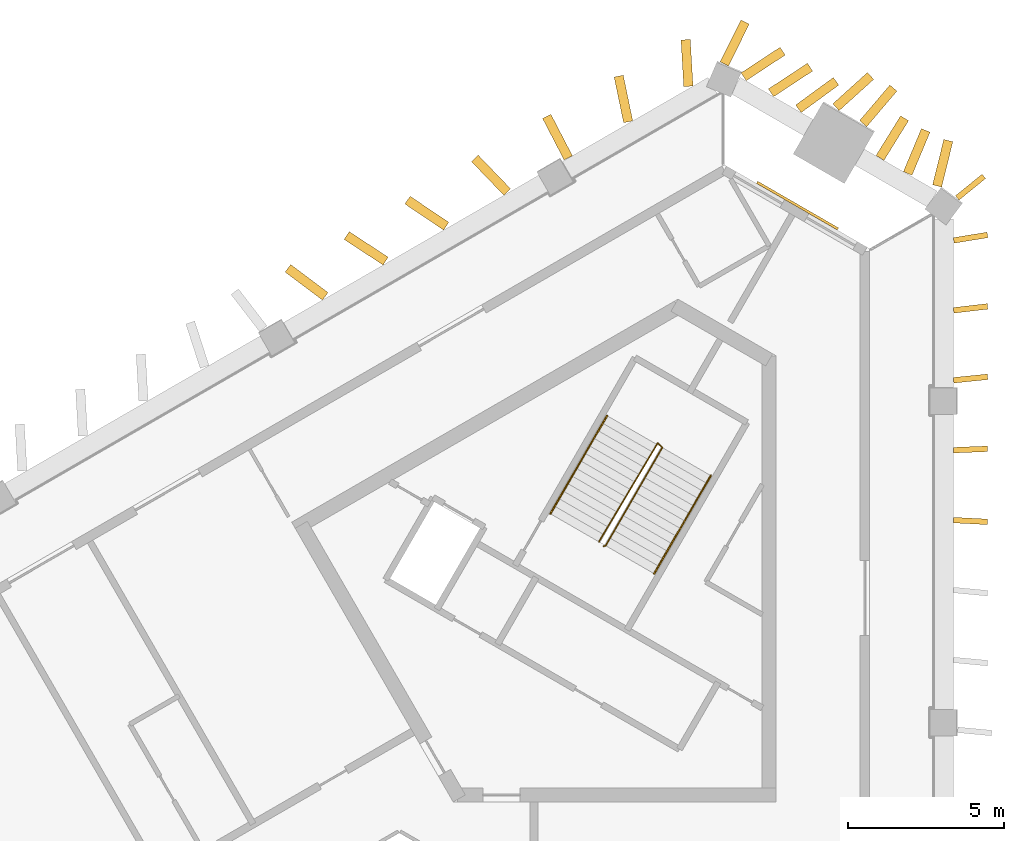
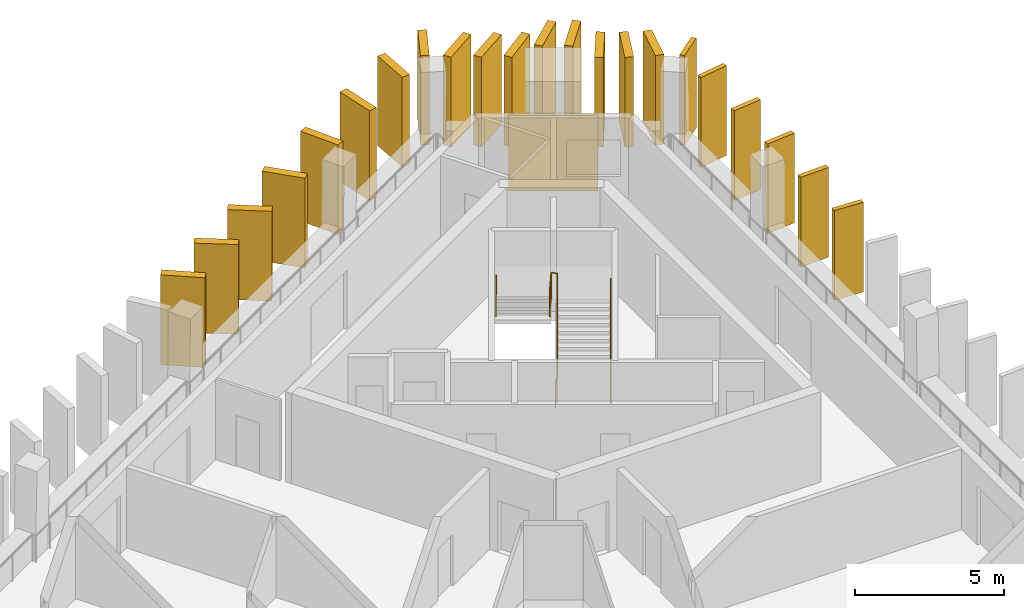
# One storey, part 10 of 10: 22 shading devices, 3 railings, 1 covering.
"""IFC4 building model written with IfcOpenShell, lengths in metres."""

from ifc_helpers import new_model, si_unit, direction, frame, frame_2d, origin, origin_2d, place, context, subcontext, project, spatial, rectangle, circle, extrude, material, layer, layer_set, type_object, element, save


model = new_model("IFC4")

# Units and contexts
model_context = context("Model", 3, precision=1e-05, world=origin(), true_north=direction((0.0, 1.0)))
body_context = subcontext(model_context, "Body", "Model", "MODEL_VIEW")
ifc_project = project(units=[si_unit("LENGTHUNIT", "METRE"), si_unit("AREAUNIT", "SQUARE_METRE"), si_unit("VOLUMEUNIT", "CUBIC_METRE"), si_unit("PLANEANGLEUNIT", "RADIAN"), si_unit("MASSUNIT", "GRAM", prefix="KILO")], contexts=[model_context])

# Site, building, storey
site_placement = place(None, origin())
site = spatial("IfcSite", under=ifc_project, at=site_placement, CompositionType="ELEMENT")
building_placement = place(site_placement, origin())
building = spatial("IfcBuilding", under=site, at=building_placement, Name="Jabali Bay Hotel Tower and Convention Centre", CompositionType="ELEMENT")
storey_placement = place(building_placement, frame((0.0, 0.0, 216.89990234375)))
storey = spatial("IfcBuildingStorey", under=building, at=storey_placement, Name="L53", CompositionType="ELEMENT", Elevation=216.89990234375)

# Shading devices
ifc_material_1 = material(Name="Precast concrete C60", Category="concrete")
ifc_layer_1 = layer(ifc_material_1, 0.179931640625)
ifc_layer_set_1 = layer_set([ifc_layer_1], Name="Precast concrete C60")
shading_device_type_1 = type_object("IfcShadingDeviceType", Name="Precast fin 3680 x 1100", PredefinedType="USERDEFINED", material=ifc_layer_set_1)
for number, where, z_axis, x_axis, name in (
    (1, (95.57373046875, 96.850341796875, 0.010009765625), (0.0, 0.0, 1.0), (0.998696380733, -0.051044481682, 0.0), "Fin L53 019"),
    (2, (95.57275390625, 99.09716796875, 0.010009765625), (0.0, 0.0, 1.0), (0.999201667658, 0.039950311013, 0.0), "Fin L53 020"),
    (3, (95.578125, 101.343994140625, 0.010009765625), (0.0, 0.0, 1.0), (0.994911154458, 0.100756115129, 0.0), "Fin L53 021"),
):
    element("IfcShadingDevice", number, at=place(storey_placement, frame(where, z_axis=z_axis, x_axis=x_axis)), inside=storey, type_object=shading_device_type_1, Name=name, ObjectType="FIN", PredefinedType="USERDEFINED", context=body_context, shape_type="SweptSolid", body=[
        extrude(rectangle(XDim=1.10009765625, YDim=0.179931640625, at=frame_2d((0.550048828125, 0.0))), origin(), (0.0, 0.0, 1.0), 3.68017578125),
    ])
for number, where, z_axis, x_axis, name in (
    (4, (95.57958984375, 103.590576171875, 0.010009765625), (0.0, 0.0, 1.0), (0.993265267874, 0.115862451359, 0.0), "Fin L53 022"),
    (5, (95.583740234375, 105.83740234375, 0.010009765625), (0.0, 0.0, 1.0), (0.98685785517, 0.161590759911, 0.0), "Fin L53 023"),
    (6, (95.697021484375, 107.203369140625, 0.010009765625), (0.0, 0.0, 1.0), (0.776453372186, 0.630174706586, 0.0), "Fin L53 097"),
):
    element("IfcShadingDevice", number, at=place(storey_placement, frame(where, z_axis=z_axis, x_axis=x_axis)), inside=storey, type_object=shading_device_type_1, Name=name, ObjectType="FIN", PredefinedType="USERDEFINED", context=body_context, shape_type="SweptSolid", body=[
        extrude(rectangle(XDim=1.099853515625, YDim=0.179931640625, at=frame_2d((0.5498046875, 0.0))), origin(), (0.0, 0.0, 1.0), 3.68017578125),
    ])
ifc_layer_2 = layer(ifc_material_1, 0.300048828125)
ifc_layer_set_2 = layer_set([ifc_layer_2], Name="Precast concrete C60")
shading_device_type_2 = type_object("IfcShadingDeviceType", Name="Precast fin 3680 x 1500", PredefinedType="USERDEFINED", material=ifc_layer_set_2)
for number, where, z_axis, x_axis, name in (
    (7, (95.05126953125, 107.59033203125, 0.010009765625), (0.0, 0.0, 1.0), (0.239087511985, 0.970998023486, 0.0), "Fin L53 024"),
    (8, (94.104736328125, 107.990478515625, 0.010009765625), (0.0, 0.0, 1.0), (0.386047909801, 0.922478732188, 0.0), "Fin L53 025"),
    (9, (93.214111328125, 108.488037109375, 0.010009765625), (0.0, 0.0, 1.0), (0.526864422332, 0.84994933995, 0.0), "Fin L53 026"),
    (10, (92.67333984375, 109.59130859375, 0.010009765625), (0.0, 0.0, 1.0), (0.647931840097, 0.761698319933, 0.0), "Fin L53 027"),
    (11, (91.799560546875, 110.11767578125, 0.010009765625), (0.0, 0.0, 1.0), (0.741851877921, 0.670563786098, 0.0), "Fin L53 028"),
):
    element("IfcShadingDevice", number, at=place(storey_placement, frame(where, z_axis=z_axis, x_axis=x_axis)), inside=storey, type_object=shading_device_type_2, Name=name, ObjectType="FIN", PredefinedType="USERDEFINED", context=body_context, shape_type="SweptSolid", body=[
        extrude(rectangle(XDim=1.5, YDim=0.300048828125, at=frame_2d((0.75, 0.0))), origin(), (0.0, 0.0, 1.0), 3.68017578125),
    ])
for number, where, z_axis, x_axis, name in (
    (12, (90.59228515625, 110.06640625, 0.010009765625), (0.0, 0.0, 1.0), (0.807092761323, 0.590424656176, 0.0), "Fin L53 029"),
    (13, (89.71240234375, 110.582275390625, 0.010009765625), (0.0, 0.0, 1.0), (0.836010576287, 0.548713328011, 0.0), "Fin L53 030"),
):
    element("IfcShadingDevice", number, at=place(storey_placement, frame(where, z_axis=z_axis, x_axis=x_axis)), inside=storey, type_object=shading_device_type_2, Name=name, ObjectType="FIN", PredefinedType="USERDEFINED", context=body_context, shape_type="SweptSolid", body=[
        extrude(rectangle(XDim=1.499755859375, YDim=0.300048828125, at=frame_2d((0.75, 0.0))), origin(), (0.0, 0.0, 1.0), 3.68017578125),
    ])
shading_device_1_placement = place(storey_placement, frame((88.83203125, 111.097412109375, 0.010009765625), z_axis=(0.0, 0.0, 1.0), x_axis=(0.835984920737, 0.548752414391, 0.0)))
element("IfcShadingDevice", 14, at=shading_device_1_placement, inside=storey, type_object=shading_device_type_2, Name="Fin L53 031", ObjectType="FIN", PredefinedType="USERDEFINED", context=body_context, shape_type="SweptSolid", body=[
    extrude(rectangle(XDim=1.500244140625, YDim=0.300048828125, at=frame_2d((0.75, 0.0))), origin(), (0.0, 0.0, 1.0), 3.68017578125),
])
for number, where, z_axis, x_axis, name in (
    (15, (87.0576171875, 110.790283203125, 0.010009765625), (0.0, 0.0, 1.0), (-0.05908459668, 0.998252979177, 0.0), "Fin L53 032"),
    (16, (85.1220703125, 109.6494140625, 0.010009765625), (0.0, 0.0, 1.0), (-0.202966194235, 0.979185745402, 0.0), "Fin L53 033"),
):
    element("IfcShadingDevice", number, at=place(storey_placement, frame(where, z_axis=z_axis, x_axis=x_axis)), inside=storey, type_object=shading_device_type_2, Name=name, ObjectType="FIN", PredefinedType="USERDEFINED", context=body_context, shape_type="SweptSolid", body=[
        extrude(rectangle(XDim=1.5, YDim=0.300048828125, at=frame_2d((0.75, 0.0))), origin(), (0.0, 0.0, 1.0), 3.68017578125),
    ])
shading_device_2_placement = place(storey_placement, frame((83.1962890625, 108.4912109375, 0.010009765625), z_axis=(0.0, 0.0, 1.0), x_axis=(-0.460188868676, 0.887821043424, 0.0)))
element("IfcShadingDevice", 17, at=shading_device_2_placement, inside=storey, type_object=shading_device_type_2, Name="Fin L53 034", ObjectType="FIN", PredefinedType="USERDEFINED", context=body_context, shape_type="SweptSolid", body=[
    extrude(rectangle(XDim=1.499755859375, YDim=0.300048828125, at=frame_2d((0.75, 0.0))), origin(), (0.0, 0.0, 1.0), 3.68017578125),
])
for number, where, z_axis, x_axis, name in (
    (18, (81.236083984375, 107.39306640625, 0.010009765625), (0.0, 0.0, 1.0), (-0.693635431925, 0.720326236908, 0.0), "Fin L53 035"),
    (19, (79.275390625, 106.295654296875, 0.010009765625), (0.0, 0.0, 1.0), (-0.829689218407, 0.558225582412, 0.0), "Fin L53 036"),
):
    element("IfcShadingDevice", number, at=place(storey_placement, frame(where, z_axis=z_axis, x_axis=x_axis)), inside=storey, type_object=shading_device_type_2, Name=name, ObjectType="FIN", PredefinedType="USERDEFINED", context=body_context, shape_type="SweptSolid", body=[
        extrude(rectangle(XDim=1.5, YDim=0.300048828125, at=frame_2d((0.75, 0.0))), origin(), (0.0, 0.0, 1.0), 3.68017578125),
    ])
shading_device_3_placement = place(storey_placement, frame((77.328857421875, 105.173583984375, 0.010009765625), z_axis=(0.0, 0.0, 1.0), x_axis=(-0.836010576287, 0.548713328011, 0.0)))
element("IfcShadingDevice", 20, at=shading_device_3_placement, inside=storey, type_object=shading_device_type_2, Name="Fin L53 037", ObjectType="FIN", PredefinedType="USERDEFINED", context=body_context, shape_type="SweptSolid", body=[
    extrude(rectangle(XDim=1.499755859375, YDim=0.300048828125, at=frame_2d((0.75, 0.0))), origin(), (0.0, 0.0, 1.0), 3.68017578125),
])
shading_device_4_placement = place(storey_placement, frame((75.387451171875, 104.04296875, 0.010009765625), z_axis=(0.0, 0.0, 1.0), x_axis=(-0.800019532098, 0.59997395632, 0.0)))
element("IfcShadingDevice", 21, at=shading_device_4_placement, inside=storey, type_object=shading_device_type_2, Name="Fin L53 038", ObjectType="FIN", PredefinedType="USERDEFINED", context=body_context, shape_type="SweptSolid", body=[
    extrude(rectangle(XDim=1.5, YDim=0.300048828125, at=frame_2d((0.75, 0.0))), origin(), (0.0, 0.0, 1.0), 3.68017578125),
])
shading_device_5_placement = place(storey_placement, frame((88.210205078125, 111.511962890625, 0.010009765625), z_axis=(0.0, 0.0, 1.0), x_axis=(0.446171519906, 0.894947470428, 0.0)))
element("IfcShadingDevice", 22, at=shading_device_5_placement, inside=storey, type_object=shading_device_type_2, Name="Fin L53 098", ObjectType="FIN", PredefinedType="USERDEFINED", context=body_context, shape_type="SweptSolid", body=[
    extrude(rectangle(XDim=1.499755859375, YDim=0.300048828125, at=frame_2d((0.75, 0.0))), origin(), (0.0, 0.0, 1.0), 3.68017578125),
])

# Covering
ifc_material_2 = material(Name="Precast concrete C40/50", Category="concrete")
ifc_layer_3 = layer(ifc_material_2, 0.080078125)
ifc_layer_set_3 = layer_set([ifc_layer_3], Name="Precast concrete C40/50")
covering_type = type_object("IfcCoveringType", Name="Relief panel 3000 x 3100", PredefinedType="CLADDING", material=ifc_layer_set_3)
covering_placement = place(storey_placement, frame((90.5634765625, 106.956787109375, 0.10009765625), z_axis=(0.0, 0.0, 1.0), x_axis=(0.866025420924, -0.499999970314, 0.0)))
element("IfcCovering", 23, at=covering_placement, inside=storey, type_object=covering_type, Name="Relief panel L53", PredefinedType="CLADDING", context=body_context, shape_type="SweptSolid", body=[
    extrude(rectangle(XDim=3.0, YDim=0.080078125, at=origin_2d()), origin(), (0.0, 0.0, 1.0), 3.10009765625),
])

# Railings
ifc_material_3 = material(Name="Steel Q355B", Category="steel")
railing_type_1 = type_object("IfcRailingType", Name="Stair guard 1100", PredefinedType="GUARDRAIL", material=ifc_material_3)
railing_1_placement = place(storey_placement, frame((84.329833984375, 96.010009765625, 0.0)))
element("IfcRailing", 24, at=railing_1_placement, inside=storey, type_object=railing_type_1, Name="L53 ST2 stair guard 1", PredefinedType="GUARDRAIL", context=body_context, shape_type="SweptSolid", body=[
    extrude(circle(Radius=0.02392578125, at=origin_2d()), frame((0.0, 0.0, 1.076171875), z_axis=(0.455547195254, 0.122021570157, 0.88180921367), x_axis=(-0.258736085224, 0.965948051503, 0.0)), (0.0, 0.0, 1.0), 0.150146484375),
    extrude(circle(Radius=0.02392578125, at=origin_2d()), frame((0.068359375, 0.018310546875, 1.20849609375), z_axis=(0.452190331055, 0.783190014029, 0.426775475427), x_axis=(-0.866018046521, 0.500012742938, 0.0)), (0.0, 0.0, 1.0), 4.02490234375),
    extrude(circle(Radius=0.02392578125, at=origin_2d()), frame((1.888427734375, 3.170654296875, 2.92626953125), z_axis=(-0.718850276695, 0.695164929852, 0.0), x_axis=(-0.695164929852, -0.718850276695, 0.0)), (0.0, 0.0, 1.0), 0.2060546875),
    extrude(circle(Radius=0.02392578125, at=origin_2d()), frame((1.740234375, 3.31396484375, 2.92626953125), z_axis=(-0.457445338502, -0.768046879266, 0.448160410493), x_axis=(0.859157857954, -0.511710636118, 0.0)), (0.0, 0.0, 1.0), 4.128173828125),
    extrude(circle(Radius=0.02099609375, at=origin_2d()), origin(), (0.0, 0.0, 1.0), 1.052001953125),
    extrude(circle(Radius=0.02099609375, at=origin_2d()), frame((0.068359375, 0.018310546875, 0.13232421875)), (0.0, 0.0, 1.0), 1.052001953125),
    extrude(circle(Radius=0.02099609375, at=origin_2d()), frame((0.5234375, 0.806396484375, 0.561767578125)), (0.0, 0.0, 1.0), 1.052001953125),
    extrude(circle(Radius=0.02099609375, at=origin_2d()), frame((0.978515625, 1.594482421875, 0.9912109375)), (0.0, 0.0, 1.0), 1.052001953125),
    extrude(circle(Radius=0.02099609375, at=origin_2d()), frame((1.433349609375, 2.382568359375, 1.420654296875)), (0.0, 0.0, 1.0), 1.052001953125),
    extrude(circle(Radius=0.02099609375, at=origin_2d()), frame((1.888427734375, 3.170654296875, 1.85009765625)), (0.0, 0.0, 1.0), 1.052001953125),
    extrude(circle(Radius=0.02099609375, at=origin_2d()), frame((1.740234375, 3.31396484375, 1.85009765625)), (0.0, 0.0, 1.0), 1.052001953125),
    extrude(circle(Radius=0.02099609375, at=origin_2d()), frame((1.26806640625, 2.521240234375, 2.3125)), (0.0, 0.0, 1.0), 1.052001953125),
    extrude(circle(Radius=0.02099609375, at=origin_2d()), frame((0.7958984375, 1.728515625, 2.775146484375)), (0.0, 0.0, 1.0), 1.052001953125),
    extrude(circle(Radius=0.02099609375, at=origin_2d()), frame((0.323974609375, 0.93603515625, 3.23779296875)), (0.0, 0.0, 1.0), 1.052001953125),
    extrude(circle(Radius=0.02099609375, at=origin_2d()), frame((-0.148193359375, 0.143310546875, 3.7001953125)), (0.0, 0.0, 1.0), 1.052001953125),
])
railing_type_2 = type_object("IfcRailingType", Name="Stair handrail 900", PredefinedType="HANDRAIL", material=ifc_material_3)
railing_2_placement = place(storey_placement, frame((85.95703125, 95.128173828125, 0.13232421875)))
element("IfcRailing", 25, at=railing_2_placement, inside=storey, type_object=railing_type_2, Name="L53 ST2 stair handrail 1", PredefinedType="HANDRAIL", context=body_context, shape_type="SweptSolid", body=[
    extrude(circle(Radius=0.02392578125, at=origin_2d()), frame((0.0, 0.0, 0.8759765625), z_axis=(0.452190331055, 0.783190014029, 0.426775475427), x_axis=(-0.866018046521, 0.500012742938, 0.0)), (0.0, 0.0, 1.0), 4.02490234375),
    extrude(circle(Radius=0.02099609375, at=origin_2d()), origin(), (0.0, 0.0, 1.0), 0.851806640625),
    extrude(circle(Radius=0.02099609375, at=origin_2d()), frame((0.455078125, 0.7880859375, 0.429443359375)), (0.0, 0.0, 1.0), 0.851806640625),
    extrude(circle(Radius=0.02099609375, at=origin_2d()), frame((0.91015625, 1.576171875, 0.85888671875)), (0.0, 0.0, 1.0), 0.851806640625),
    extrude(circle(Radius=0.02099609375, at=origin_2d()), frame((1.364990234375, 2.3642578125, 1.288330078125)), (0.0, 0.0, 1.0), 0.851806640625),
    extrude(circle(Radius=0.02099609375, at=origin_2d()), frame((1.820068359375, 3.15234375, 1.7177734375)), (0.0, 0.0, 1.0), 0.851806640625),
])
railing_3_placement = place(storey_placement, frame((84.44287109375, 100.20556640625, 1.982177734375)))
element("IfcRailing", 26, at=railing_3_placement, inside=storey, type_object=railing_type_2, Name="L53 ST2 stair handrail 2", PredefinedType="HANDRAIL", context=body_context, shape_type="SweptSolid", body=[
    extrude(circle(Radius=0.02392578125, at=origin_2d()), frame((0.0, 0.0, 0.8759765625), z_axis=(-0.45217862506, -0.783169739339, 0.426825081763), x_axis=(0.866018046521, -0.500012742938, 0.0)), (0.0, 0.0, 1.0), 4.025146484375),
    extrude(circle(Radius=0.02099609375, at=origin_2d()), origin(), (0.0, 0.0, 1.0), 0.851806640625),
    extrude(circle(Radius=0.02099609375, at=origin_2d()), frame((-0.455078125, -0.7880859375, 0.429443359375)), (0.0, 0.0, 1.0), 0.851806640625),
    extrude(circle(Radius=0.02099609375, at=origin_2d()), frame((-0.91015625, -1.576171875, 0.85888671875)), (0.0, 0.0, 1.0), 0.851806640625),
    extrude(circle(Radius=0.02099609375, at=origin_2d()), frame((-1.364990234375, -2.3642578125, 1.28857421875)), (0.0, 0.0, 1.0), 0.851806640625),
    extrude(circle(Radius=0.02099609375, at=origin_2d()), frame((-1.820068359375, -3.15234375, 1.718017578125)), (0.0, 0.0, 1.0), 0.851806640625),
])

save(model, "model.ifc")
